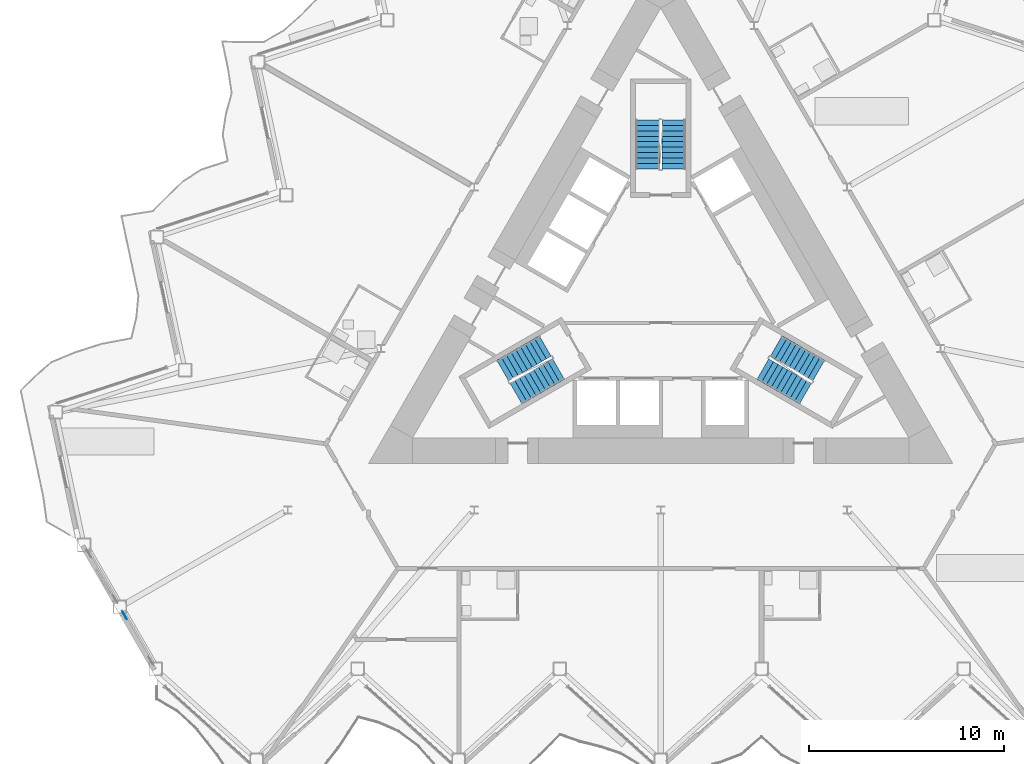
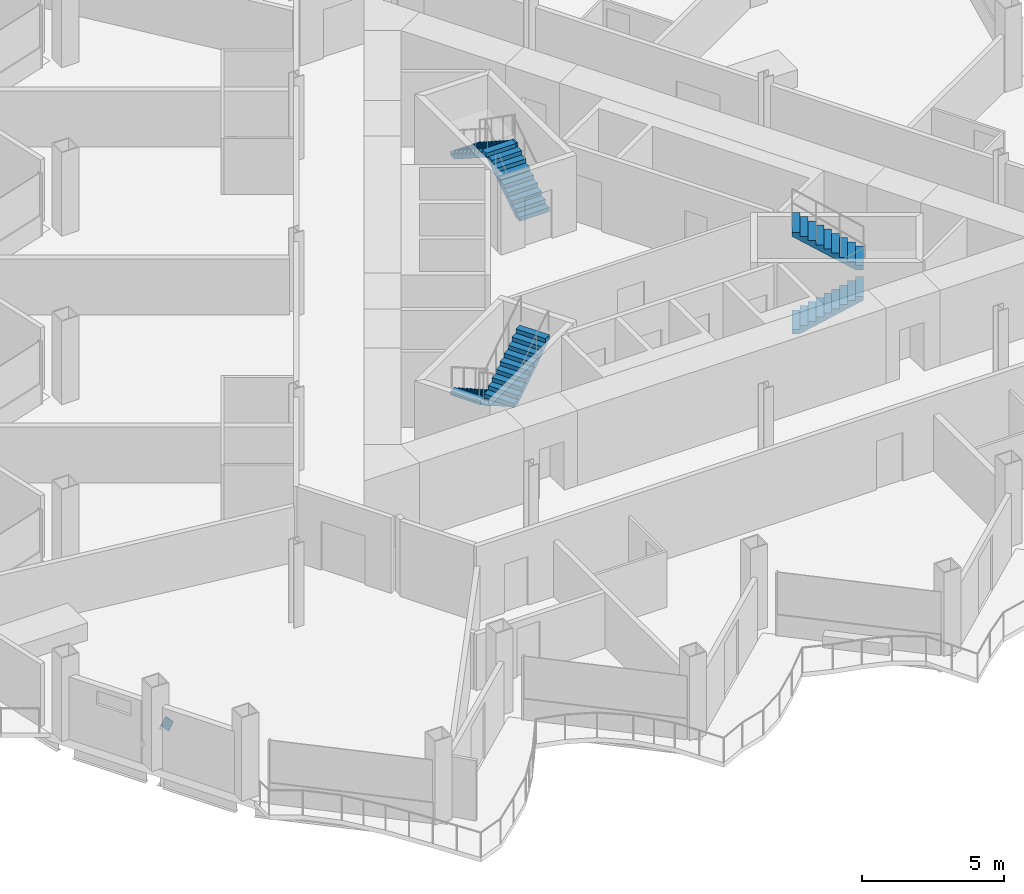
# One storey, part 15 of 23: 6 stair flights, 1 discrete accessory, 3 elements without a shape of their own.
"""IFC4 building model written with IfcOpenShell, lengths in metres."""

import ifcopenshell
import ifcopenshell.guid

model = None  # the IFC model being written
_history = None  # IfcOwnerHistory: only IFC2X3 demands one
_inside = {}  # id of a spatial element -> (the spatial element, [elements in it])
_under = {}  # id of a project, library or spatial element -> (it, [spatial elements below it])
_declared = {}  # id of a project -> (the project, [libraries it declares])
_typed = {}  # id of a type object -> (the type object, [elements of that type])
_made_of = {}  # id of a material, layer set ... -> (it, [elements and type objects made of it])


def new_model(schema):
    """Start an empty IFC model of exactly this schema.

    Asked for "IFC4X3", IfcOpenShell would pick the latest addendum, in which some entities
    have other attributes; the version numbers below select the first issue.
    IFC2X3 requires an IfcOwnerHistory on every rooted entity: one is made here for all.
    """
    global model, _history
    if schema == "IFC4X3":
        model = ifcopenshell.file(schema_version=(4, 3, 0, 0))
    else:
        model = ifcopenshell.file(schema=schema)
    _inside.clear()
    _under.clear()
    _declared.clear()
    _typed.clear()
    _made_of.clear()
    _history = None
    if model.schema == "IFC2X3":
        org = make("IfcOrganization", Name="unknown")
        user = make(
            "IfcPersonAndOrganization",
            ThePerson=make("IfcPerson", FamilyName="unknown"),
            TheOrganization=org,
        )
        app = make(
            "IfcApplication",
            ApplicationDeveloper=org,
            Version="unknown",
            ApplicationFullName="unknown",
            ApplicationIdentifier="unknown",
        )
        _history = make(
            "IfcOwnerHistory",
            OwningUser=user,
            OwningApplication=app,
            ChangeAction="ADDED",
            CreationDate=0,
        )
    return model


def make(cls, **values):
    """One entity of the class cls with the attributes given. An attribute that is None is left unset."""
    return model.create_entity(
        cls, **{name: value for name, value in values.items() if value is not None}
    )


def rooted(cls, **values):
    """An entity with a GlobalId (a new one), such as an element, a storey or a relation."""
    return make(cls, GlobalId=ifcopenshell.guid.new(), OwnerHistory=_history, **values)


def si_unit(unit_type, name, prefix=None):
    """IfcSIUnit, for example si_unit("LENGTHUNIT", "METRE", prefix="MILLI")."""
    return make("IfcSIUnit", UnitType=unit_type, Prefix=prefix, Name=name)


def assignment(units):
    """IfcUnitAssignment: the units of a project."""
    return None if units is None else make("IfcUnitAssignment", Units=units)


def point(xyz):
    """IfcCartesianPoint."""
    return None if xyz is None else make("IfcCartesianPoint", Coordinates=xyz)


def direction(xyz):
    """IfcDirection."""
    return None if xyz is None else make("IfcDirection", DirectionRatios=xyz)


def frame(location, z_axis=None, x_axis=None):
    """IfcAxis2Placement3D, a coordinate frame: its origin and axes. An axis left out is left unset."""
    return make(
        "IfcAxis2Placement3D",
        Location=point(location),
        Axis=direction(z_axis),
        RefDirection=direction(x_axis),
    )


def frame_2d(location, x_axis=None):
    """IfcAxis2Placement2D, a coordinate frame in the plane: its origin and x axis."""
    return make(
        "IfcAxis2Placement2D", Location=point(location), RefDirection=direction(x_axis)
    )


def origin():
    """The frame at (0, 0, 0) with its axes left unset."""
    return frame((0.0, 0.0, 0.0))


def origin_2d():
    """The frame at (0, 0) in the plane with its x axis left unset."""
    return frame_2d((0.0, 0.0))


def place(relative_to, where):
    """IfcLocalPlacement: puts the frame where relative to a parent placement (None: the world)."""
    return make(
        "IfcLocalPlacement", PlacementRelTo=relative_to, RelativePlacement=where
    )


def context(
    kind, dimensions, precision=None, world=None, true_north=None, identifier=None
):
    """IfcGeometricRepresentationContext, for example the 3D "Model" context."""
    return make(
        "IfcGeometricRepresentationContext",
        ContextIdentifier=identifier,
        ContextType=kind,
        CoordinateSpaceDimension=dimensions,
        Precision=precision,
        WorldCoordinateSystem=world,
        TrueNorth=true_north,
    )


def subcontext(parent, identifier, kind, view, scale=None):
    """IfcGeometricRepresentationSubContext, for example "Body" below "Model"."""
    return make(
        "IfcGeometricRepresentationSubContext",
        ContextIdentifier=identifier,
        ContextType=kind,
        ParentContext=parent,
        TargetScale=scale,
        TargetView=view,
    )


def project(units=None, contexts=None):
    """IfcProject with its units and contexts."""
    return rooted(
        "IfcProject",
        Name="project",
        RepresentationContexts=contexts,
        UnitsInContext=assignment(units),
    )


def spatial(cls, under=None, at=None, **own):
    """A site, building, storey or space (cls), placed at a placement, below another one or the project."""
    s = rooted(cls, ObjectPlacement=at, **own)
    if under is not None:
        _under.setdefault(under.id(), (under, []))[1].append(s)
    return s


def polyline(points):
    """IfcPolyline through the points."""
    return make("IfcPolyline", Points=[point(p) for p in points])


def profile(cls, at=None, kind="AREA", **sizes):
    """A parametric profile (cls). Its sizes go by their IFC names, for example OverallWidth=200.0."""
    return make(cls, ProfileType=kind, Position=at, **sizes)


def rectangle(**sizes):
    """IfcRectangleProfileDef."""
    return profile("IfcRectangleProfileDef", **sizes)


def outline(outer, holes=None, kind="AREA"):
    """IfcArbitraryClosedProfileDef: a profile drawn as a closed curve; with holes, ...WithVoids."""
    if holes is None:
        return make("IfcArbitraryClosedProfileDef", ProfileType=kind, OuterCurve=outer)
    return make(
        "IfcArbitraryProfileDefWithVoids",
        ProfileType=kind,
        OuterCurve=outer,
        InnerCurves=holes,
    )


def extrude(swept, where, along, depth):
    """IfcExtrudedAreaSolid: the profile swept, set in the frame where, extruded along a direction by depth."""
    return make(
        "IfcExtrudedAreaSolid",
        SweptArea=swept,
        Position=where,
        ExtrudedDirection=direction(along),
        Depth=depth,
    )


def shape(context_of_items, identifier, shape_type, items):
    """IfcShapeRepresentation: the items that make up one representation, for example the "Body"."""
    return make(
        "IfcShapeRepresentation",
        ContextOfItems=context_of_items,
        RepresentationIdentifier=identifier,
        RepresentationType=shape_type,
        Items=items,
    )


def material(Name=None, Category=None):
    """IfcMaterial."""
    return make("IfcMaterial", Name=Name, Category=Category)


def material_profile(
    of_material, cross_section, Name=None, Category=None, Priority=None
):
    """IfcMaterialProfile: a cross section and its material."""
    return make(
        "IfcMaterialProfile",
        Name=Name,
        Material=of_material,
        Profile=cross_section,
        Priority=Priority,
        Category=Category,
    )


def profile_set(profiles, Name=None, composite=None):
    """IfcMaterialProfileSet."""
    return make(
        "IfcMaterialProfileSet",
        Name=Name,
        MaterialProfiles=profiles,
        CompositeProfile=composite,
    )


def made_of(thing, what):
    """Note that an element or type object is made of a material, layer set ...; save() writes the relation."""
    if what is not None:
        _made_of.setdefault(what.id(), (what, []))[1].append(thing)
    return thing


def type_object(cls, material=None, **own):
    """A type object (cls), such as IfcWallType, which elements share."""
    return made_of(rooted(cls, **own), material)


def element(
    cls,
    number,
    at=None,
    inside=None,
    cuts=None,
    type_object=None,
    material=None,
    context=None,
    identifier="Body",
    shape_type=None,
    held_by="IfcProductDefinitionShape",
    body=None,
    shapes=None,
    **own,
):
    """One element of the class cls, such as IfcWall. Its Tag is "e" and its number.

    at: its placement. inside: the storey or other place that contains it. cuts: it is an
    opening in that element (IfcRelVoidsElement). A single representation is given by context,
    identifier, shape_type and body (its items); several are given by shapes. held_by: the class
    of the entity that holds the representations. save() writes the other relations.
    """
    e = rooted(cls, Tag="e%d" % number, ObjectPlacement=at, **own)
    if body is not None:
        shapes = [shape(context, identifier, shape_type, body)]
    if shapes is not None:
        e.Representation = make(held_by, Representations=shapes)
    if inside is not None:
        _inside.setdefault(inside.id(), (inside, []))[1].append(e)
    if cuts is not None:
        rooted(
            "IfcRelVoidsElement", RelatingBuildingElement=cuts, RelatedOpeningElement=e
        )
    if type_object is not None:
        _typed.setdefault(type_object.id(), (type_object, []))[1].append(e)
    return made_of(e, material)


def aggregate(whole, parts):
    """IfcRelAggregates: a whole, such as a stair, and the parts it consists of."""
    return rooted("IfcRelAggregates", RelatingObject=whole, RelatedObjects=parts)


def save(model, path):
    """Write the relations noted so far, then the file.

    IfcRelAggregates (storeys below a building ...), IfcRelContainedInSpatialStructure (elements
    in a storey), IfcRelDefinesByType, IfcRelAssociatesMaterial and IfcRelDeclares: one each for
    every whole, place, type object, material and project.
    """
    for whole, parts in _under.values():
        aggregate(whole, parts)
    for where, things in _inside.values():
        rooted(
            "IfcRelContainedInSpatialStructure",
            RelatedElements=things,
            RelatingStructure=where,
        )
    for kind, things in _typed.values():
        rooted("IfcRelDefinesByType", RelatedObjects=things, RelatingType=kind)
    for what, things in _made_of.values():
        rooted("IfcRelAssociatesMaterial", RelatedObjects=things, RelatingMaterial=what)
    for by, libraries in _declared.values():
        rooted("IfcRelDeclares", RelatingContext=by, RelatedDefinitions=libraries)
    model.write(path)


model = new_model("IFC4")

# Units and contexts
model_context = context("Model", 3, precision=1e-05, world=origin(), true_north=direction((0.0, 1.0)))
body_context = subcontext(model_context, "Body", "Model", "MODEL_VIEW")
ifc_project = project(units=[si_unit("LENGTHUNIT", "METRE"), si_unit("AREAUNIT", "SQUARE_METRE"), si_unit("VOLUMEUNIT", "CUBIC_METRE"), si_unit("PLANEANGLEUNIT", "RADIAN"), si_unit("MASSUNIT", "GRAM", prefix="KILO")], contexts=[model_context])

# Site, building, storey
site_placement = place(None, origin())
site = spatial("IfcSite", under=ifc_project, at=site_placement, CompositionType="ELEMENT")
building_placement = place(site_placement, origin())
building = spatial("IfcBuilding", under=site, at=building_placement, Name="Cormorant Prow Tower", CompositionType="ELEMENT")
storey_placement = place(building_placement, frame((0.0, 0.0, 241.800048828125)))
storey = spatial("IfcBuildingStorey", under=building, at=storey_placement, Name="L53", CompositionType="ELEMENT", Elevation=241.800048828125)

# Stair, stair flights
ifc_material_1 = material(Name="Exit stair 20 risers")
stair_type = type_object("IfcStairType", Name="Exit stair 20 risers", PredefinedType="HALF_TURN_STAIR", material=ifc_material_1)
stair_1_placement = place(storey_placement, origin())
stair_1 = element("IfcStair", 1, at=stair_1_placement, inside=storey, type_object=stair_type, Name="L53 Exit stair ST1", PredefinedType="HALF_TURN_STAIR")
ifc_material_2 = material(Name="Concrete 5000 psi", Category="concrete")
stair_flight_type = type_object("IfcStairFlightType", Name="Stair flight 1219", PredefinedType="STRAIGHT", material=ifc_material_2)
stair_flight_1_placement = place(storey_placement, frame((-5.93310546875, -2.635009765625, 0.0), z_axis=(0.0, 0.0, 1.0), x_axis=(-0.866025403784, -0.5, 0.0)))
stair_flight_1 = element("IfcStairFlight", 2, at=stair_flight_1_placement, type_object=stair_flight_type, Name="ST1 flight 1", NumberOfRisers=10, NumberOfTreads=9, PredefinedType="STRAIGHT", RiserHeight=0.18, TreadLength=0.28, context=body_context, shape_type="SweptSolid", body=[
    extrude(outline(polyline([(0.0, 0.0), (0.0, 0.179931640625), (0.280029296875, 0.179931640625), (0.280029296875, 0.360107421875), (0.56005859375, 0.360107421875), (0.56005859375, 0.5400390625), (0.840087890625, 0.5400390625), (0.840087890625, 0.719970703125), (1.1201171875, 0.719970703125), (1.1201171875, 0.89990234375), (1.39990234375, 0.89990234375), (1.39990234375, 1.080078125), (1.679931640625, 1.080078125), (1.679931640625, 1.260009765625), (1.9599609375, 1.260009765625), (1.9599609375, 1.43994140625), (2.239990234375, 1.43994140625), (2.239990234375, 1.6201171875), (2.52001953125, 1.6201171875), (2.52001953125, 1.800048828125), (2.52001953125, 1.44189453125), (0.277099609375, 0.0), (0.0, 0.0)])), frame((0.0, 0.609375, 0.0), z_axis=(0.0, -1.0, 0.0), x_axis=(1.0, 0.0, 0.0)), (0.0, 0.0, 1.0), 1.218994140625),
])
stair_flight_2_placement = place(storey_placement, frame((-7.43115234375, -5.080810546875, 1.800048828125), z_axis=(0.0, 0.0, 1.0), x_axis=(0.866025403784, 0.5, 0.0)))
stair_flight_2 = element("IfcStairFlight", 3, at=stair_flight_2_placement, type_object=stair_flight_type, Name="ST1 flight 2", NumberOfRisers=10, NumberOfTreads=9, PredefinedType="STRAIGHT", RiserHeight=0.18, TreadLength=0.28, context=body_context, shape_type="SweptSolid", body=[
    extrude(outline(polyline([(0.0, 0.0), (0.0, 0.179931640625), (0.280029296875, 0.179931640625), (0.280029296875, 0.360107421875), (0.56005859375, 0.360107421875), (0.56005859375, 0.5400390625), (0.840087890625, 0.5400390625), (0.840087890625, 0.719970703125), (1.1201171875, 0.719970703125), (1.1201171875, 0.89990234375), (1.39990234375, 0.89990234375), (1.39990234375, 1.080078125), (1.679931640625, 1.080078125), (1.679931640625, 1.260009765625), (1.9599609375, 1.260009765625), (1.9599609375, 1.43994140625), (2.239990234375, 1.43994140625), (2.239990234375, 1.6201171875), (2.52001953125, 1.6201171875), (2.52001953125, 1.800048828125), (2.52001953125, 1.44189453125), (0.277099609375, 0.0), (0.0, 0.0)])), frame((0.0, 0.609375, 0.0), z_axis=(0.0, -1.0, 0.0), x_axis=(1.0, 0.0, 0.0)), (0.0, 0.0, 1.0), 1.218994140625),
])
aggregate(stair_1, [stair_flight_1, stair_flight_2])

stair_2_placement = place(storey_placement, origin())
stair_2 = element("IfcStair", 4, at=stair_2_placement, inside=storey, type_object=stair_type, Name="L53 Exit stair ST2", PredefinedType="HALF_TURN_STAIR")
stair_flight_3_placement = place(storey_placement, frame((5.24853515625, -3.82080078125, 0.0), z_axis=(0.0, 0.0, 1.0), x_axis=(0.866025403784, -0.5, 0.0)))
stair_flight_3 = element("IfcStairFlight", 5, at=stair_flight_3_placement, type_object=stair_flight_type, Name="ST2 flight 1", NumberOfRisers=10, NumberOfTreads=9, PredefinedType="STRAIGHT", RiserHeight=0.18, TreadLength=0.28, context=body_context, shape_type="SweptSolid", body=[
    extrude(outline(polyline([(0.0, 0.0), (0.0, 0.179931640625), (0.280029296875, 0.179931640625), (0.280029296875, 0.360107421875), (0.56005859375, 0.360107421875), (0.56005859375, 0.5400390625), (0.840087890625, 0.5400390625), (0.840087890625, 0.719970703125), (1.1201171875, 0.719970703125), (1.1201171875, 0.89990234375), (1.39990234375, 0.89990234375), (1.39990234375, 1.080078125), (1.679931640625, 1.080078125), (1.679931640625, 1.260009765625), (1.9599609375, 1.260009765625), (1.9599609375, 1.43994140625), (2.239990234375, 1.43994140625), (2.239990234375, 1.6201171875), (2.52001953125, 1.6201171875), (2.52001953125, 1.800048828125), (2.52001953125, 1.44189453125), (0.277099609375, 0.0), (0.0, 0.0)])), frame((0.0, 0.609375, 0.0), z_axis=(0.0, -1.0, 0.0), x_axis=(1.0, 0.0, 0.0)), (0.0, 0.0, 1.0), 1.218994140625),
])
stair_flight_4_placement = place(storey_placement, frame((8.115478515625, -3.89501953125, 1.800048828125), z_axis=(0.0, 0.0, 1.0), x_axis=(-0.866025403784, 0.5, 0.0)))
stair_flight_4 = element("IfcStairFlight", 6, at=stair_flight_4_placement, type_object=stair_flight_type, Name="ST2 flight 2", NumberOfRisers=10, NumberOfTreads=9, PredefinedType="STRAIGHT", RiserHeight=0.18, TreadLength=0.28, context=body_context, shape_type="SweptSolid", body=[
    extrude(outline(polyline([(0.0, 0.0), (0.0, 0.179931640625), (0.280029296875, 0.179931640625), (0.280029296875, 0.360107421875), (0.56005859375, 0.360107421875), (0.56005859375, 0.5400390625), (0.840087890625, 0.5400390625), (0.840087890625, 0.719970703125), (1.1201171875, 0.719970703125), (1.1201171875, 0.89990234375), (1.39990234375, 0.89990234375), (1.39990234375, 1.080078125), (1.679931640625, 1.080078125), (1.679931640625, 1.260009765625), (1.9599609375, 1.260009765625), (1.9599609375, 1.43994140625), (2.239990234375, 1.43994140625), (2.239990234375, 1.6201171875), (2.52001953125, 1.6201171875), (2.52001953125, 1.800048828125), (2.52001953125, 1.44189453125), (0.277099609375, 0.0), (0.0, 0.0)])), frame((0.0, 0.609375, 0.0), z_axis=(0.0, -1.0, 0.0), x_axis=(1.0, 0.0, 0.0)), (0.0, 0.0, 1.0), 1.218994140625),
])
aggregate(stair_2, [stair_flight_3, stair_flight_4])

stair_3_placement = place(storey_placement, origin())
stair_3 = element("IfcStair", 7, at=stair_3_placement, inside=storey, type_object=stair_type, Name="L53 Exit stair ST3", PredefinedType="HALF_TURN_STAIR")
stair_flight_5_placement = place(storey_placement, frame((0.6845703125, 6.455810546875, 0.0), z_axis=(0.0, 0.0, 1.0), x_axis=(0.0, 1.0, 0.0)))
stair_flight_5 = element("IfcStairFlight", 8, at=stair_flight_5_placement, type_object=stair_flight_type, Name="ST3 flight 1", NumberOfRisers=10, NumberOfTreads=9, PredefinedType="STRAIGHT", RiserHeight=0.18, TreadLength=0.28, context=body_context, shape_type="SweptSolid", body=[
    extrude(outline(polyline([(0.0, 0.0), (0.0, 0.179931640625), (0.280029296875, 0.179931640625), (0.280029296875, 0.360107421875), (0.56005859375, 0.360107421875), (0.56005859375, 0.5400390625), (0.840087890625, 0.5400390625), (0.840087890625, 0.719970703125), (1.1201171875, 0.719970703125), (1.1201171875, 0.89990234375), (1.39990234375, 0.89990234375), (1.39990234375, 1.080078125), (1.679931640625, 1.080078125), (1.679931640625, 1.260009765625), (1.9599609375, 1.260009765625), (1.9599609375, 1.43994140625), (2.239990234375, 1.43994140625), (2.239990234375, 1.6201171875), (2.52001953125, 1.6201171875), (2.52001953125, 1.800048828125), (2.52001953125, 1.44189453125), (0.277099609375, 0.0), (0.0, 0.0)])), frame((0.0, 0.609375, 0.0), z_axis=(0.0, -1.0, 0.0), x_axis=(1.0, 0.0, 0.0)), (0.0, 0.0, 1.0), 1.218994140625),
])
stair_flight_6_placement = place(storey_placement, frame((-0.6845703125, 8.975830078125, 1.800048828125), z_axis=(0.0, 0.0, 1.0), x_axis=(0.0, -1.0, 0.0)))
stair_flight_6 = element("IfcStairFlight", 9, at=stair_flight_6_placement, type_object=stair_flight_type, Name="ST3 flight 2", NumberOfRisers=10, NumberOfTreads=9, PredefinedType="STRAIGHT", RiserHeight=0.18, TreadLength=0.28, context=body_context, shape_type="SweptSolid", body=[
    extrude(outline(polyline([(0.0, 0.0), (0.0, 0.179931640625), (0.280029296875, 0.179931640625), (0.280029296875, 0.360107421875), (0.56005859375, 0.360107421875), (0.56005859375, 0.5400390625), (0.840087890625, 0.5400390625), (0.840087890625, 0.719970703125), (1.1201171875, 0.719970703125), (1.1201171875, 0.89990234375), (1.39990234375, 0.89990234375), (1.39990234375, 1.080078125), (1.679931640625, 1.080078125), (1.679931640625, 1.260009765625), (1.9599609375, 1.260009765625), (1.9599609375, 1.43994140625), (2.239990234375, 1.43994140625), (2.239990234375, 1.6201171875), (2.52001953125, 1.6201171875), (2.52001953125, 1.800048828125), (2.52001953125, 1.44189453125), (0.277099609375, 0.0), (0.0, 0.0)])), frame((0.0, 0.609375, 0.0), z_axis=(0.0, -1.0, 0.0), x_axis=(1.0, 0.0, 0.0)), (0.0, 0.0, 1.0), 1.218994140625),
])
aggregate(stair_3, [stair_flight_5, stair_flight_6])

# Discrete accessory
ifc_material_3 = material(Name="Structural steel ASTM A500 Gr C", Category="steel")
ifc_material_profile = material_profile(ifc_material_3, rectangle(XDim=0.031982421875, YDim=0.506103515625, at=origin_2d()), Name="Gusset plate 32x506")
ifc_profile_set = profile_set([ifc_material_profile], Name="Structural steel ASTM A500 Gr C")
discrete_accessory_type = type_object("IfcDiscreteAccessoryType", Name="Gusset plate 32x506", PredefinedType="BRACKET", material=ifc_profile_set)
discrete_accessory_placement = place(storey_placement, frame((-27.454833984375, -16.59375, 1.837890625), z_axis=(-0.46266066689, 0.801805590131, 0.37822335061), x_axis=(-0.866147934042, -0.499787711288, 0.0)))
element("IfcDiscreteAccessory", 10, at=discrete_accessory_placement, inside=storey, type_object=discrete_accessory_type, Name="Gusset plate GP2 L53.WSW01.g1", PredefinedType="BRACKET", context=body_context, shape_type="SweptSolid", body=[
    extrude(rectangle(XDim=0.031982421875, YDim=0.506103515625, at=origin_2d()), origin(), (0.0, 0.0, 1.0), 0.349853515625),
])

save(model, "model.ifc")
